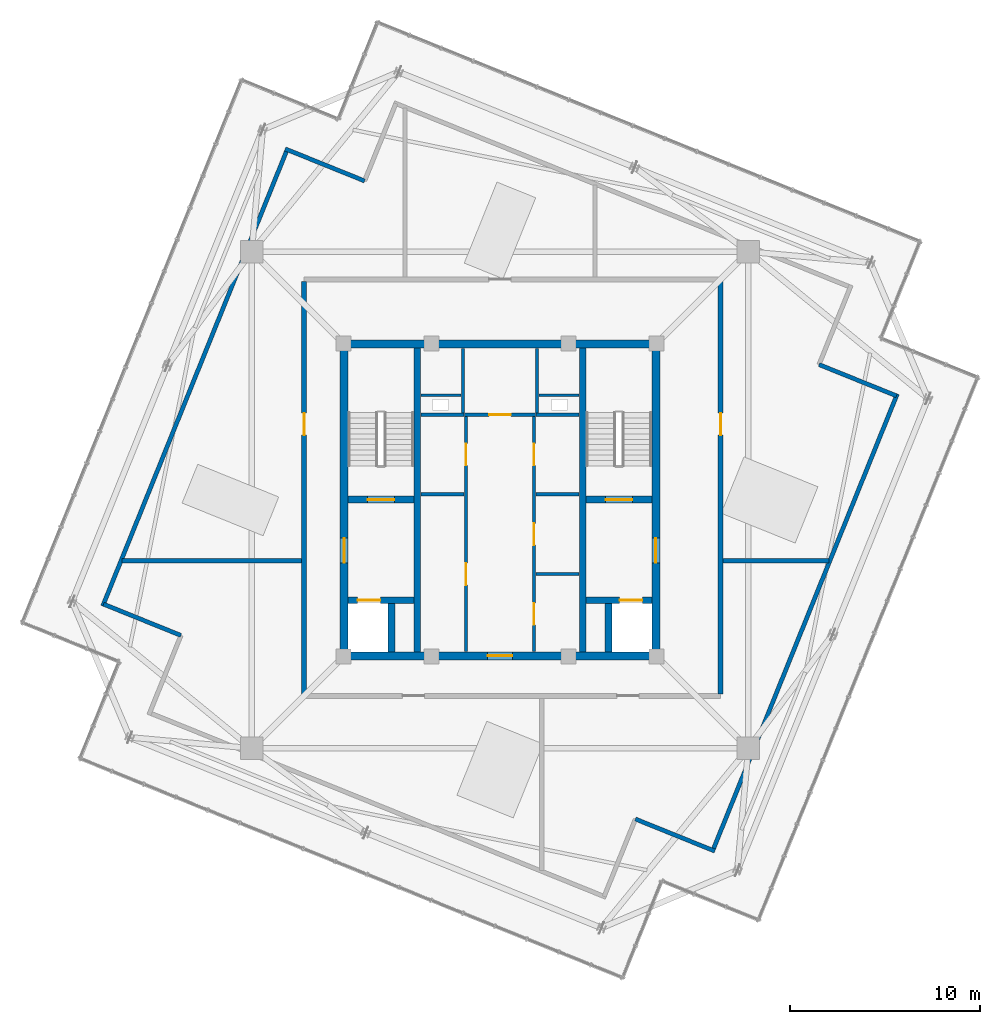
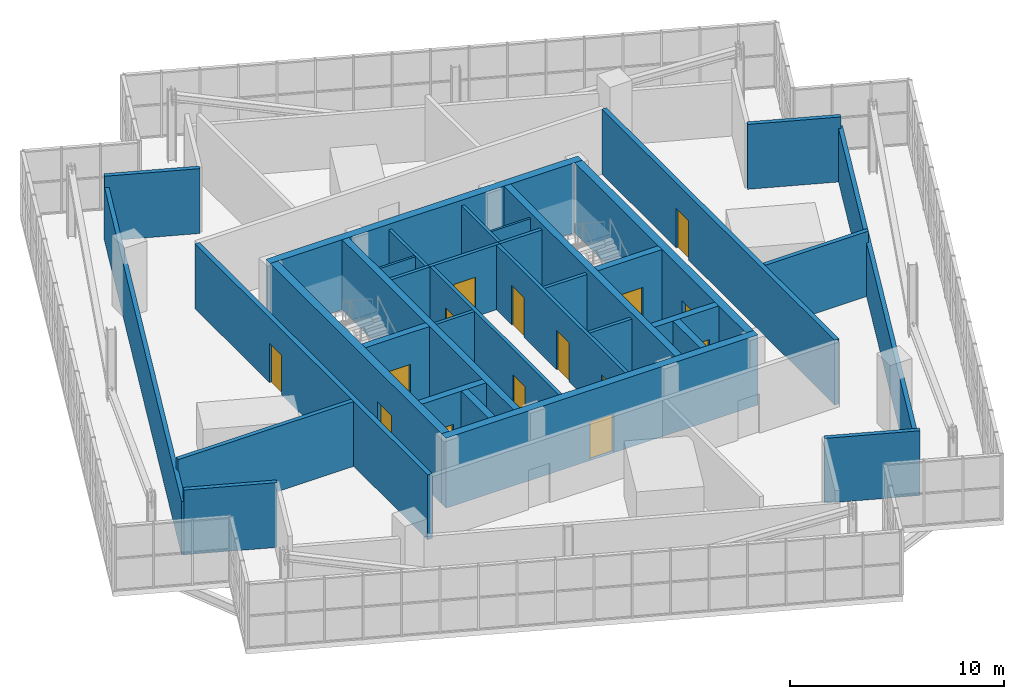
# One storey, part 23 of 26: 34 walls, 15 doors, 15 openings.
"""IFC4 building model written with IfcOpenShell, lengths in metres."""

from ifc_helpers import new_model, si_unit, direction, frame, frame_2d, origin, place, context, subcontext, project, spatial, rectangle, extrude, source, transform, mapped, material, layer, layer_set, type_object, element, fill, save


model = new_model("IFC4")

# Units and contexts
model_context = context("Model", 3, precision=1e-05, world=origin(), true_north=direction((0.0, 1.0)))
body_context = subcontext(model_context, "Body", "Model", "MODEL_VIEW")
ifc_project = project(units=[si_unit("LENGTHUNIT", "METRE"), si_unit("AREAUNIT", "SQUARE_METRE"), si_unit("VOLUMEUNIT", "CUBIC_METRE"), si_unit("PLANEANGLEUNIT", "RADIAN"), si_unit("MASSUNIT", "GRAM", prefix="KILO"), si_unit("THERMODYNAMICTEMPERATUREUNIT", "KELVIN")], contexts=[model_context])

# Site, building, storey
site_placement = place(None, origin())
site = spatial("IfcSite", under=ifc_project, at=site_placement, CompositionType="ELEMENT")
building_placement = place(site_placement, origin())
building = spatial("IfcBuilding", under=site, at=building_placement, Name="Kosmvard Interchange Tower", CompositionType="ELEMENT")
storey_placement = place(building_placement, frame((0.0, 0.0, 333.60009765625)))
storey = spatial("IfcBuildingStorey", under=building, at=storey_placement, Name="L82", CompositionType="ELEMENT", Elevation=333.60009765625)

# Walls
ifc_material_1 = material(Name="Fire-rated gypsum partition system")
ifc_layer_1 = layer(ifc_material_1, 0.159912109375, Name="Fire-rated gypsum partition system")
ifc_layer_set_1 = layer_set([ifc_layer_1], Name="Fire-rated gypsum partition system")
wall_type_1 = type_object("IfcWallType", Name="Core Compartment & Shuttle Lobby Partition 160", PredefinedType="PARTITIONING", material=ifc_layer_set_1)
for number, where, z_axis, x_axis, name in (
    (1, (-1.9599609375, 4.580078125, 0.0), (0.0, 0.0, 1.0), (0.0, 1.0, 0.0), "L82 North Core West Wall"),
    (2, (1.9599609375, 4.580078125, 0.0), (0.0, 0.0, 1.0), (0.0, 1.0, 0.0), "L82 North Core East Wall"),
):
    element("IfcWall", number, at=place(storey_placement, frame(where, z_axis=z_axis, x_axis=x_axis)), inside=storey, type_object=wall_type_1, Name=name, PredefinedType="PARTITIONING", context=body_context, shape_type="SweptSolid", body=[
        extrude(rectangle(XDim=3.39990234375, YDim=0.159912109375, at=frame_2d((1.699951171875, 0.0))), origin(), (0.0, 0.0, 1.0), 3.699951171875),
    ])

# Wall, openings, doors
ifc_layer_2 = layer(ifc_material_1, 0.179931640625, Name="Fire-rated gypsum partition system")
ifc_layer_set_2 = layer_set([ifc_layer_2], Name="Fire-rated gypsum partition system")
wall_type_2 = type_object("IfcWallType", Name="Corridor & Hotel Compartment Partition 180", PredefinedType="PARTITIONING", material=ifc_layer_set_2)
wall_1_placement = place(storey_placement, frame((-1.7900390625, -7.97998046875, 0.0), z_axis=(0.0, 0.0, 1.0), x_axis=(0.0, 1.0, 0.0)))
wall_1 = element("IfcWall", 3, at=wall_1_placement, inside=storey, type_object=wall_type_2, Name="L82 West Lift Bank Front Wall", PredefinedType="PARTITIONING", context=body_context, shape_type="SweptSolid", body=[
    extrude(rectangle(XDim=12.3798828125, YDim=0.179931640625, at=frame_2d((6.18994140625, 0.0))), origin(), (0.0, 0.0, 1.0), 3.699951171875),
])
opening_1_placement = place(wall_1_placement, frame((3.5, 0.0, 0.0)))
opening_1 = element("IfcOpeningElement", 4, at=opening_1_placement, cuts=wall_1, Name="Opening L82-CD1", PredefinedType="OPENING", context=body_context, shape_type="SweptSolid", body=[
    extrude(rectangle(XDim=1.14990234375, YDim=2.25, at=frame_2d((0.574951171875, 1.125))), frame((0.0, 0.10009765625, 0.0), z_axis=(0.0, -1.0, 0.0), x_axis=(1.0, 0.0, 0.0)), (0.0, 0.0, 1.0), 0.199951171875),
])
opening_2_placement = place(wall_1_placement, frame((9.800048828125, 0.0, 0.0)))
opening_2 = element("IfcOpeningElement", 5, at=opening_2_placement, cuts=wall_1, Name="Opening L82-CD7", PredefinedType="OPENING", context=body_context, shape_type="SweptSolid", body=[
    extrude(rectangle(XDim=1.14990234375, YDim=2.25, at=frame_2d((0.574951171875, 1.125))), frame((0.0, 0.10009765625, 0.0), z_axis=(0.0, -1.0, 0.0), x_axis=(1.0, 0.0, 0.0)), (0.0, 0.0, 1.0), 0.199951171875),
])
ifc_material_2 = material(Name="Painted fire-rated steel leaf", Category="steel")
door_type_1 = type_object("IfcDoorType", Name="Plant & Riser Fire Door 1150x2250 EI60", OperationType="NOTDEFINED", PredefinedType="DOOR", material=ifc_material_2)
shared_shape_1 = source(origin(), body_context, "Body", "SweptSolid", [
    extrude(rectangle(XDim=1.14990234375, YDim=2.25, at=frame_2d((0.574951171875, 1.125))), frame((0.0, 0.02490234375, 0.0), z_axis=(0.0, -1.0, 0.0), x_axis=(1.0, 0.0, 0.0)), (0.0, 0.0, 1.0), 0.050048828125),
])
door_1_placement = place(opening_1_placement, origin())
door_1 = element("IfcDoor", 6, at=door_1_placement, inside=storey, type_object=door_type_1, Name="L82 Core West Store Door", OperationType="SINGLE_SWING_LEFT", OverallHeight=2.25, OverallWidth=1.14990234375, PredefinedType="DOOR", context=body_context, shape_type="MappedRepresentation", body=[
    mapped(shared_shape_1, transform((0.0, 0.0, 0.0), scale=1.0)),
])
fill(opening_1, door_1)
door_2_placement = place(opening_2_placement, origin())
door_2 = element("IfcDoor", 7, at=door_2_placement, inside=storey, type_object=door_type_1, Name="L82 Crown Core West Door", OperationType="SINGLE_SWING_LEFT", OverallHeight=2.25, OverallWidth=1.14990234375, PredefinedType="DOOR", context=body_context, shape_type="MappedRepresentation", body=[
    mapped(shared_shape_1, transform((0.0, 0.0, 0.0), scale=1.0)),
])
fill(opening_2, door_2)

wall_2_placement = place(storey_placement, frame((1.7900390625, -7.97998046875, 0.0), z_axis=(0.0, 0.0, 1.0), x_axis=(0.0, 1.0, 0.0)))
wall_2 = element("IfcWall", 8, at=wall_2_placement, inside=storey, type_object=wall_type_2, Name="L82 East Lift Bank Front Wall", PredefinedType="PARTITIONING", context=body_context, shape_type="SweptSolid", body=[
    extrude(rectangle(XDim=12.3798828125, YDim=0.179931640625, at=frame_2d((6.18994140625, 0.0))), origin(), (0.0, 0.0, 1.0), 3.699951171875),
])
opening_3_placement = place(wall_2_placement, frame((1.39990234375, 0.0, 0.0)))
opening_3 = element("IfcOpeningElement", 9, at=opening_3_placement, cuts=wall_2, Name="Opening L82-CD2", PredefinedType="OPENING", context=body_context, shape_type="SweptSolid", body=[
    extrude(rectangle(XDim=1.14990234375, YDim=2.25, at=frame_2d((0.574951171875, 1.125))), frame((0.0, 0.10009765625, 0.0), z_axis=(0.0, -1.0, 0.0), x_axis=(1.0, 0.0, 0.0)), (0.0, 0.0, 1.0), 0.199951171875),
])
opening_4_placement = place(wall_2_placement, frame((5.60009765625, 0.0, 0.0)))
opening_4 = element("IfcOpeningElement", 10, at=opening_4_placement, cuts=wall_2, Name="Opening L82-CD3", PredefinedType="OPENING", context=body_context, shape_type="SweptSolid", body=[
    extrude(rectangle(XDim=1.14990234375, YDim=2.25, at=frame_2d((0.574951171875, 1.125))), frame((0.0, 0.10009765625, 0.0), z_axis=(0.0, -1.0, 0.0), x_axis=(1.0, 0.0, 0.0)), (0.0, 0.0, 1.0), 0.199951171875),
])
opening_5_placement = place(wall_2_placement, frame((9.800048828125, 0.0, 0.0)))
opening_5 = element("IfcOpeningElement", 11, at=opening_5_placement, cuts=wall_2, Name="Opening L82-CD8", PredefinedType="OPENING", context=body_context, shape_type="SweptSolid", body=[
    extrude(rectangle(XDim=1.14990234375, YDim=2.25, at=frame_2d((0.574951171875, 1.125))), frame((0.0, 0.10009765625, 0.0), z_axis=(0.0, -1.0, 0.0), x_axis=(1.0, 0.0, 0.0)), (0.0, 0.0, 1.0), 0.199951171875),
])
door_3_placement = place(opening_3_placement, frame((1.14990234375, 0.0, 0.0), z_axis=(0.0, 0.0, 1.0), x_axis=(-1.0, 0.0, 0.0)))
door_3 = element("IfcDoor", 12, at=door_3_placement, inside=storey, type_object=door_type_1, Name="L82 Core Tea Pantry Door", OperationType="SINGLE_SWING_LEFT", OverallHeight=2.25, OverallWidth=1.14990234375, PredefinedType="DOOR", context=body_context, shape_type="MappedRepresentation", body=[
    mapped(shared_shape_1, transform((0.0, 0.0, 0.0), scale=1.0)),
])
fill(opening_3, door_3)
door_4_placement = place(opening_4_placement, frame((1.14990234375, 0.0, 0.0), z_axis=(0.0, 0.0, 1.0), x_axis=(-1.0, 0.0, 0.0)))
door_4 = element("IfcDoor", 13, at=door_4_placement, inside=storey, type_object=door_type_1, Name="L82 Mid Core Pantry Door", OperationType="SINGLE_SWING_RIGHT", OverallHeight=2.25, OverallWidth=1.14990234375, PredefinedType="DOOR", context=body_context, shape_type="MappedRepresentation", body=[
    mapped(shared_shape_1, transform((0.0, 0.0, 0.0), scale=1.0)),
])
fill(opening_4, door_4)
door_5_placement = place(opening_5_placement, frame((1.14990234375, 0.0, 0.0), z_axis=(0.0, 0.0, 1.0), x_axis=(-1.0, 0.0, 0.0)))
door_5 = element("IfcDoor", 14, at=door_5_placement, inside=storey, type_object=door_type_1, Name="L82 Crown Core East Door", OperationType="SINGLE_SWING_RIGHT", OverallHeight=2.25, OverallWidth=1.14990234375, PredefinedType="DOOR", context=body_context, shape_type="MappedRepresentation", body=[
    mapped(shared_shape_1, transform((0.0, 0.0, 0.0), scale=1.0)),
])
fill(opening_5, door_5)

# Wall, opening, door
wall_3_placement = place(storey_placement, frame((-1.8798828125, 4.489990234375, 0.0), z_axis=(0.0, 0.0, 1.0), x_axis=(1.0, 0.0, 0.0)))
wall_3 = element("IfcWall", 15, at=wall_3_placement, inside=storey, type_object=wall_type_2, Name="L82 Lift Lobby North Partition", PredefinedType="PARTITIONING", context=body_context, shape_type="SweptSolid", body=[
    extrude(rectangle(XDim=3.759765625, YDim=0.179931640625, at=frame_2d((1.8798828125, 0.0))), origin(), (0.0, 0.0, 1.0), 3.699951171875),
])
opening_6_placement = place(wall_3_placement, frame((1.304931640625, 0.0, 0.0)))
opening_6 = element("IfcOpeningElement", 16, at=opening_6_placement, cuts=wall_3, Name="Opening L82-KD1", PredefinedType="OPENING", context=body_context, shape_type="SweptSolid", body=[
    extrude(rectangle(XDim=1.14990234375, YDim=2.25, at=frame_2d((0.574951171875, 1.125))), frame((0.0, 0.10009765625, 0.0), z_axis=(0.0, -1.0, 0.0), x_axis=(1.0, 0.0, 0.0)), (0.0, 0.0, 1.0), 0.199951171875),
])
door_6_placement = place(opening_6_placement, origin())
door_6 = element("IfcDoor", 17, at=door_6_placement, inside=storey, type_object=door_type_1, Name="L82 Core IT Room Door", OperationType="SINGLE_SWING_LEFT", OverallHeight=2.25, OverallWidth=1.14990234375, PredefinedType="DOOR", context=body_context, shape_type="MappedRepresentation", body=[
    mapped(shared_shape_1, transform((0.0, 0.0, 0.0), scale=1.0)),
])
fill(opening_6, door_6)

ifc_material_3 = material(Name="Concrete C50/60", Category="concrete")
ifc_layer_3 = layer(ifc_material_3, 0.419921875, Name="Concrete C50/60")
ifc_layer_set_3 = layer_set([ifc_layer_3], Name="Concrete C50/60")
wall_type_3 = type_object("IfcWallType", Name="Crown Core Shear Wall 420 C50/60", PredefinedType="SHEAR", material=ifc_layer_set_3)
wall_4_placement = place(storey_placement, frame((-8.419921875, -8.2099609375, 0.0), z_axis=(0.0, 0.0, 1.0), x_axis=(1.0, 0.0, 0.0)))
wall_4 = element("IfcWall", 18, at=wall_4_placement, inside=storey, type_object=wall_type_3, Name="L82 Core Shear Wall CW-S", PredefinedType="SHEAR", context=body_context, shape_type="SweptSolid", body=[
    extrude(rectangle(XDim=16.83984375, YDim=0.419921875, at=frame_2d((8.419921875, 0.0))), origin(), (0.0, 0.0, 1.0), 4.0),
])
opening_7_placement = place(wall_4_placement, frame((7.77001953125, 0.0, 0.0)))
opening_7 = element("IfcOpeningElement", 19, at=opening_7_placement, cuts=wall_4, Name="Opening L82-LD0", PredefinedType="OPENING", context=body_context, shape_type="SweptSolid", body=[
    extrude(rectangle(XDim=1.300048828125, YDim=2.199951171875, at=frame_2d((0.64990234375, 1.10009765625))), frame((0.0, 0.219970703125, 0.0), z_axis=(0.0, -1.0, 0.0), x_axis=(1.0, 0.0, 0.0)), (0.0, 0.0, 1.0), 0.43994140625),
])
door_type_2 = type_object("IfcDoorType", Name="Firefighting Lobby Door 1300x2200 EI60", OperationType="NOTDEFINED", PredefinedType="DOOR", material=ifc_material_2)
shared_shape_2 = source(origin(), body_context, "Body", "SweptSolid", [
    extrude(rectangle(XDim=1.300048828125, YDim=2.199951171875, at=frame_2d((0.64990234375, 1.10009765625))), frame((0.0, 0.02490234375, 0.0), z_axis=(0.0, -1.0, 0.0), x_axis=(1.0, 0.0, 0.0)), (0.0, 0.0, 1.0), 0.050048828125),
])
door_7_placement = place(opening_7_placement, frame((1.300048828125, 0.0, 0.0), z_axis=(0.0, 0.0, 1.0), x_axis=(-1.0, 0.0, 0.0)))
door_7 = element("IfcDoor", 20, at=door_7_placement, inside=storey, type_object=door_type_2, Name="L82 Passenger Lift Lobby South Door", OperationType="SINGLE_SWING_RIGHT", OverallHeight=2.199951171875, OverallWidth=1.300048828125, PredefinedType="DOOR", context=body_context, shape_type="MappedRepresentation", body=[
    mapped(shared_shape_2, transform((0.0, 0.0, 0.0), scale=1.0)),
])
fill(opening_7, door_7)

# Wall
wall_5_placement = place(storey_placement, frame((-8.419921875, 8.2099609375, 0.0), z_axis=(0.0, 0.0, 1.0), x_axis=(1.0, 0.0, 0.0)))
element("IfcWall", 21, at=wall_5_placement, inside=storey, type_object=wall_type_3, Name="L82 Core Shear Wall CW-N", PredefinedType="SHEAR", context=body_context, shape_type="SweptSolid", body=[
    extrude(rectangle(XDim=16.83984375, YDim=0.419921875, at=frame_2d((8.419921875, 0.0))), origin(), (0.0, 0.0, 1.0), 4.0),
])

# Wall, opening, door
wall_6_placement = place(storey_placement, frame((-8.2099609375, -8.0, 0.0), z_axis=(0.0, 0.0, 1.0), x_axis=(0.0, 1.0, 0.0)))
wall_6 = element("IfcWall", 22, at=wall_6_placement, inside=storey, type_object=wall_type_3, Name="L82 Core Shear Wall CW-W", PredefinedType="SHEAR", context=body_context, shape_type="SweptSolid", body=[
    extrude(rectangle(XDim=16.0, YDim=0.419921875, at=frame_2d((8.0, 0.0))), origin(), (0.0, 0.0, 1.0), 4.0),
])
opening_8_placement = place(wall_6_placement, frame((4.68994140625, 0.0, 0.0)))
opening_8 = element("IfcOpeningElement", 23, at=opening_8_placement, cuts=wall_6, Name="Opening L82-FD1", PredefinedType="OPENING", context=body_context, shape_type="SweptSolid", body=[
    extrude(rectangle(XDim=1.300048828125, YDim=2.199951171875, at=frame_2d((0.64990234375, 1.10009765625))), frame((0.0, 0.219970703125, 0.0), z_axis=(0.0, -1.0, 0.0), x_axis=(1.0, 0.0, 0.0)), (0.0, 0.0, 1.0), 0.43994140625),
])
door_8_placement = place(opening_8_placement, frame((1.300048828125, 0.0, 0.0), z_axis=(0.0, 0.0, 1.0), x_axis=(-1.0, 0.0, 0.0)))
door_8 = element("IfcDoor", 24, at=door_8_placement, inside=storey, type_object=door_type_2, Name="L82 Firefighting Lobby West Door", OperationType="SINGLE_SWING_LEFT", OverallHeight=2.199951171875, OverallWidth=1.300048828125, PredefinedType="DOOR", context=body_context, shape_type="MappedRepresentation", body=[
    mapped(shared_shape_2, transform((0.0, 0.0, 0.0), scale=1.0)),
])
fill(opening_8, door_8)

wall_7_placement = place(storey_placement, frame((8.2099609375, -8.0, 0.0), z_axis=(0.0, 0.0, 1.0), x_axis=(0.0, 1.0, 0.0)))
wall_7 = element("IfcWall", 25, at=wall_7_placement, inside=storey, type_object=wall_type_3, Name="L82 Core Shear Wall CW-E", PredefinedType="SHEAR", context=body_context, shape_type="SweptSolid", body=[
    extrude(rectangle(XDim=16.0, YDim=0.419921875, at=frame_2d((8.0, 0.0))), origin(), (0.0, 0.0, 1.0), 4.0),
])
opening_9_placement = place(wall_7_placement, frame((4.68994140625, 0.0, 0.0)))
opening_9 = element("IfcOpeningElement", 26, at=opening_9_placement, cuts=wall_7, Name="Opening L82-FD2", PredefinedType="OPENING", context=body_context, shape_type="SweptSolid", body=[
    extrude(rectangle(XDim=1.300048828125, YDim=2.199951171875, at=frame_2d((0.64990234375, 1.10009765625))), frame((0.0, 0.219970703125, 0.0), z_axis=(0.0, -1.0, 0.0), x_axis=(1.0, 0.0, 0.0)), (0.0, 0.0, 1.0), 0.43994140625),
])
door_9_placement = place(opening_9_placement, origin())
door_9 = element("IfcDoor", 27, at=door_9_placement, inside=storey, type_object=door_type_2, Name="L82 Firefighting Lobby East Door", OperationType="SINGLE_SWING_RIGHT", OverallHeight=2.199951171875, OverallWidth=1.300048828125, PredefinedType="DOOR", context=body_context, shape_type="MappedRepresentation", body=[
    mapped(shared_shape_2, transform((0.0, 0.0, 0.0), scale=1.0)),
])
fill(opening_9, door_9)

ifc_material_4 = material(Name="Concrete blockwork masonry", Category="masonry")
ifc_layer_4 = layer(ifc_material_4, 0.25, Name="Concrete blockwork masonry")
ifc_layer_set_4 = layer_set([ifc_layer_4], Name="Concrete blockwork masonry")
wall_type_4 = type_object("IfcWallType", Name="Exit Passage & Firefighting Lobby Wall 250", PredefinedType="PARTITIONING", material=ifc_layer_set_4)
wall_8_placement = place(storey_placement, frame((-10.320068359375, -10.219970703125, 0.0), z_axis=(0.0, 0.0, 1.0), x_axis=(0.0, 1.0, 0.0)))
wall_8 = element("IfcWall", 28, at=wall_8_placement, inside=storey, type_object=wall_type_4, Name="L82 Corridor Wall CW", PredefinedType="PARTITIONING", context=body_context, shape_type="SweptSolid", body=[
    extrude(rectangle(XDim=21.739990234375, YDim=0.25, at=frame_2d((10.8701171875, 0.0))), origin(), (0.0, 0.0, 1.0), 3.699951171875),
])
opening_10_placement = place(wall_8_placement, frame((13.640625, 0.0, 0.0)))
opening_10 = element("IfcOpeningElement", 29, at=opening_10_placement, cuts=wall_8, Name="Opening L82-D05", PredefinedType="OPENING", context=body_context, shape_type="SweptSolid", body=[
    extrude(rectangle(XDim=1.14990234375, YDim=2.25, at=frame_2d((0.574951171875, 1.125))), frame((0.0, 0.135009765625, 0.0), z_axis=(0.0, -1.0, 0.0), x_axis=(1.0, 0.0, 0.0)), (0.0, 0.0, 1.0), 0.27001953125),
])
door_10_placement = place(opening_10_placement, origin())
door_10 = element("IfcDoor", 30, at=door_10_placement, inside=storey, type_object=door_type_1, Name="L82 Heat Recovery Ventilation Plant Room Door", OperationType="SINGLE_SWING_LEFT", OverallHeight=2.25, OverallWidth=1.14990234375, PredefinedType="DOOR", context=body_context, shape_type="MappedRepresentation", body=[
    mapped(shared_shape_1, transform((0.0, 0.0, 0.0), scale=1.0)),
])
fill(opening_10, door_10)

wall_9_placement = place(storey_placement, frame((11.6201171875, -10.219970703125, 0.0), z_axis=(0.0, 0.0, 1.0), x_axis=(0.0, 1.0, 0.0)))
wall_9 = element("IfcWall", 31, at=wall_9_placement, inside=storey, type_object=wall_type_4, Name="L82 Corridor Wall CE", PredefinedType="PARTITIONING", context=body_context, shape_type="SweptSolid", body=[
    extrude(rectangle(XDim=21.739990234375, YDim=0.25, at=frame_2d((10.8701171875, 0.0))), origin(), (0.0, 0.0, 1.0), 3.699951171875),
])
opening_11_placement = place(wall_9_placement, frame((13.640625, 0.0, 0.0)))
opening_11 = element("IfcOpeningElement", 32, at=opening_11_placement, cuts=wall_9, Name="Opening L82-D02", PredefinedType="OPENING", context=body_context, shape_type="SweptSolid", body=[
    extrude(rectangle(XDim=1.14990234375, YDim=2.25, at=frame_2d((0.574951171875, 1.125))), frame((0.0, 0.135009765625, 0.0), z_axis=(0.0, -1.0, 0.0), x_axis=(1.0, 0.0, 0.0)), (0.0, 0.0, 1.0), 0.27001953125),
])
door_11_placement = place(opening_11_placement, frame((1.14990234375, 0.0, 0.0), z_axis=(0.0, 0.0, 1.0), x_axis=(-1.0, 0.0, 0.0)))
door_11 = element("IfcDoor", 33, at=door_11_placement, inside=storey, type_object=door_type_1, Name="L82 East Cooling Tower Plant Room Door", OperationType="SINGLE_SWING_RIGHT", OverallHeight=2.25, OverallWidth=1.14990234375, PredefinedType="DOOR", context=body_context, shape_type="MappedRepresentation", body=[
    mapped(shared_shape_1, transform((0.0, 0.0, 0.0), scale=1.0)),
])
fill(opening_11, door_11)

# Walls
ifc_layer_5 = layer(ifc_material_4, 0.179931640625, Name="Concrete blockwork masonry")
ifc_layer_set_5 = layer_set([ifc_layer_5], Name="Concrete blockwork masonry")
wall_type_5 = type_object("IfcWallType", Name="Riser & Lift Bank Divider Wall 180", PredefinedType="PARTITIONING", material=ifc_layer_set_5)
for number, where, z_axis, x_axis, name in (
    (34, (1.889892578125, -3.89990234375, 0.0), (0.0, 0.0, 1.0), (1.0, 0.0, 0.0), "L82 East Bank Divider BD1"),
    (35, (-4.169921875, 0.300048828125, 0.0), (0.0, 0.0, 1.0), (1.0, 0.0, 0.0), "L82 West Bank Divider BD2"),
    (36, (1.889892578125, 0.300048828125, 0.0), (0.0, 0.0, 1.0), (1.0, 0.0, 0.0), "L82 East Bank Divider BD2"),
    (37, (-4.169921875, 4.489990234375, 0.0), (0.0, 0.0, 1.0), (1.0, 0.0, 0.0), "L82 West Bank Divider BD3"),
    (38, (1.889892578125, 4.489990234375, 0.0), (0.0, 0.0, 1.0), (1.0, 0.0, 0.0), "L82 East Bank Divider BD3"),
):
    element("IfcWall", number, at=place(storey_placement, frame(where, z_axis=z_axis, x_axis=x_axis)), inside=storey, type_object=wall_type_5, Name=name, PredefinedType="PARTITIONING", context=body_context, shape_type="SweptSolid", body=[
        extrude(rectangle(XDim=2.280029296875, YDim=0.179931640625, at=frame_2d((1.14013671875, 0.0))), origin(), (0.0, 0.0, 1.0), 3.699951171875),
    ])
ifc_layer_6 = layer(ifc_material_4, 0.219970703125, Name="Concrete blockwork masonry")
ifc_layer_set_6 = layer_set([ifc_layer_6], Name="Concrete blockwork masonry")
wall_type_6 = type_object("IfcWallType", Name="Riser & Plant Enclosure Wall 220", PredefinedType="PARTITIONING", material=ifc_layer_set_6)
wall_10_placement = place(storey_placement, frame((11.172119140625, -18.556396484375, 0.0), z_axis=(0.0, 0.0, 1.0), x_axis=(0.374611707018, 0.927181788521, 0.0)))
element("IfcWall", 39, at=wall_10_placement, inside=storey, type_object=wall_type_6, Name="L82 Crown Plant Enclosure Wall S", PredefinedType="PARTITIONING", context=body_context, shape_type="SweptSolid", body=[
    extrude(rectangle(XDim=26.0400390625, YDim=0.219970703125, at=frame_2d((13.02001953125, 0.0))), origin(), (0.0, 0.0, 1.0), 3.0498046875),
])
wall_11_placement = place(storey_placement, frame((20.8857421875, 5.485595703125, 0.0), z_axis=(0.0, 0.0, 1.0), x_axis=(-0.927189216671, 0.374593321469, 0.0)))
element("IfcWall", 40, at=wall_11_placement, inside=storey, type_object=wall_type_6, Name="L82 Crown Plant Enclosure Wall SE1", PredefinedType="PARTITIONING", context=body_context, shape_type="SweptSolid", body=[
    extrude(rectangle(XDim=4.39990234375, YDim=0.219970703125, at=frame_2d((2.199951171875, 0.0))), origin(), (0.0, 0.0, 1.0), 3.699951171875),
])
wall_12_placement = place(storey_placement, frame((-7.1337890625, 16.80615234375, 0.0), z_axis=(0.0, 0.0, 1.0), x_axis=(-0.927186885331, 0.374599091925, 0.0)))
element("IfcWall", 41, at=wall_12_placement, inside=storey, type_object=wall_type_6, Name="L82 Crown Plant Enclosure Wall NE2", PredefinedType="PARTITIONING", context=body_context, shape_type="SweptSolid", body=[
    extrude(rectangle(XDim=4.510009765625, YDim=0.219970703125, at=frame_2d((2.2548828125, 0.0))), origin(), (0.0, 0.0, 1.0), 3.699951171875),
])
wall_13_placement = place(storey_placement, frame((-11.172119140625, 18.556396484375, 0.0), z_axis=(0.0, 0.0, 1.0), x_axis=(-0.374611707018, -0.927181788521, 0.0)))
element("IfcWall", 42, at=wall_13_placement, inside=storey, type_object=wall_type_6, Name="L82 Crown Plant Enclosure Wall N", PredefinedType="PARTITIONING", context=body_context, shape_type="SweptSolid", body=[
    extrude(rectangle(XDim=26.0400390625, YDim=0.219970703125, at=frame_2d((13.02001953125, 0.0))), origin(), (0.0, 0.0, 1.0), 3.0498046875),
])
wall_14_placement = place(storey_placement, frame((-20.8857421875, -5.485595703125, 0.0), z_axis=(0.0, 0.0, 1.0), x_axis=(0.927189216671, -0.374593321469, 0.0)))
element("IfcWall", 43, at=wall_14_placement, inside=storey, type_object=wall_type_6, Name="L82 Crown Plant Enclosure Wall NW1", PredefinedType="PARTITIONING", context=body_context, shape_type="SweptSolid", body=[
    extrude(rectangle(XDim=4.39990234375, YDim=0.219970703125, at=frame_2d((2.199951171875, 0.0))), origin(), (0.0, 0.0, 1.0), 3.699951171875),
])
wall_15_placement = place(storey_placement, frame((7.1337890625, -16.80615234375, 0.0), z_axis=(0.0, 0.0, 1.0), x_axis=(0.927186885331, -0.374599091925, 0.0)))
element("IfcWall", 44, at=wall_15_placement, inside=storey, type_object=wall_type_6, Name="L82 Crown Plant Enclosure Wall SW2", PredefinedType="PARTITIONING", context=body_context, shape_type="SweptSolid", body=[
    extrude(rectangle(XDim=4.510009765625, YDim=0.219970703125, at=frame_2d((2.2548828125, 0.0))), origin(), (0.0, 0.0, 1.0), 3.699951171875),
])
wall_16_placement = place(storey_placement, frame((11.75, -3.199951171875, 0.0), z_axis=(0.0, 0.0, 1.0), x_axis=(1.0, 0.0, 0.0)))
element("IfcWall", 45, at=wall_16_placement, inside=storey, type_object=wall_type_6, Name="L82 Room Partition 03.1", PredefinedType="PARTITIONING", context=body_context, shape_type="SweptSolid", body=[
    extrude(rectangle(XDim=5.578125, YDim=0.219970703125, at=frame_2d((2.7890625, 0.0))), origin(), (0.0, 0.0, 1.0), 3.699951171875),
])
wall_17_placement = place(storey_placement, frame((-10.449951171875, -3.199951171875, 0.0), z_axis=(0.0, 0.0, 1.0), x_axis=(-1.0, 0.0, 0.0)))
element("IfcWall", 46, at=wall_17_placement, inside=storey, type_object=wall_type_6, Name="L82 Room Partition 05.1", PredefinedType="PARTITIONING", context=body_context, shape_type="SweptSolid", body=[
    extrude(rectangle(XDim=9.4638671875, YDim=0.219970703125, at=frame_2d((4.73193359375, 0.0))), origin(), (0.0, 0.0, 1.0), 3.699951171875),
])
ifc_material_5 = material(Name="Fire-rated gypsum shaftwall system")
ifc_layer_7 = layer(ifc_material_5, 0.1201171875, Name="Fire-rated gypsum shaftwall system")
ifc_layer_set_7 = layer_set([ifc_layer_7], Name="Fire-rated gypsum shaftwall system")
wall_type_7 = type_object("IfcWallType", Name="Shaft & Riser Fire Partition 120 EI60", PredefinedType="PARTITIONING", material=ifc_layer_set_7)
for number, where, z_axis, x_axis, name in (
    (47, (-4.159912109375, 5.52001953125, 0.0), (0.0, 0.0, 1.0), (1.0, 0.0, 0.0), "L82 Riser Shaft Divider W"),
    (48, (2.06005859375, 5.52001953125, 0.0), (0.0, 0.0, 1.0), (1.0, 0.0, 0.0), "L82 Riser Shaft Divider E"),
):
    element("IfcWall", number, at=place(storey_placement, frame(where, z_axis=z_axis, x_axis=x_axis)), inside=storey, type_object=wall_type_7, Name=name, PredefinedType="PARTITIONING", context=body_context, shape_type="SweptSolid", body=[
        extrude(rectangle(XDim=2.099853515625, YDim=0.1201171875, at=frame_2d((1.0498046875, 0.0))), origin(), (0.0, 0.0, 1.0), 3.699951171875),
    ])
ifc_material_6 = material(Name="Concrete C60/75", Category="concrete")
ifc_layer_8 = layer(ifc_material_6, 0.360107421875, Name="Concrete C60/75")
ifc_layer_set_8 = layer_set([ifc_layer_8], Name="Concrete C60/75")
wall_type_8 = type_object("IfcWallType", Name="Stair & Lift Shaft Shear Wall 360 C60/75", PredefinedType="SHEAR", material=ifc_layer_set_8)
for number, where, z_axis, x_axis, name in (
    (49, (-4.360107421875, -8.0, 0.0), (0.0, 0.0, 1.0), (0.0, 1.0, 0.0), "L82 Shaft Shear Wall SW-W"),
    (50, (4.360107421875, -8.0, 0.0), (0.0, 0.0, 1.0), (0.0, 1.0, 0.0), "L82 Shaft Shear Wall SW-E"),
):
    element("IfcWall", number, at=place(storey_placement, frame(where, z_axis=z_axis, x_axis=x_axis)), inside=storey, type_object=wall_type_8, Name=name, PredefinedType="SHEAR", context=body_context, shape_type="SweptSolid", body=[
        extrude(rectangle(XDim=16.0, YDim=0.360107421875, at=frame_2d((8.0, 0.0))), origin(), (0.0, 0.0, 1.0), 4.0),
    ])

# Wall, opening, door
wall_18_placement = place(storey_placement, frame((-8.0, 0.02001953125, 0.0), z_axis=(0.0, 0.0, 1.0), x_axis=(1.0, 0.0, 0.0)))
wall_18 = element("IfcWall", 51, at=wall_18_placement, inside=storey, type_object=wall_type_8, Name="L82 Shaft Shear Wall SW-ST1", PredefinedType="SHEAR", context=body_context, shape_type="SweptSolid", body=[
    extrude(rectangle(XDim=3.4599609375, YDim=0.360107421875, at=frame_2d((1.72998046875, 0.0))), origin(), (0.0, 0.0, 1.0), 4.0),
])
opening_12_placement = place(wall_18_placement, frame((1.030029296875, 0.0, 0.0)))
opening_12 = element("IfcOpeningElement", 52, at=opening_12_placement, cuts=wall_18, Name="Opening L82-SD1", PredefinedType="OPENING", context=body_context, shape_type="SweptSolid", body=[
    extrude(rectangle(XDim=1.39990234375, YDim=2.199951171875, at=frame_2d((0.699951171875, 1.10009765625))), frame((0.0, 0.18994140625, 0.0), z_axis=(0.0, -1.0, 0.0), x_axis=(1.0, 0.0, 0.0)), (0.0, 0.0, 1.0), 0.380126953125),
])
door_type_3 = type_object("IfcDoorType", Name="Protected Stair Door 1400x2200 FD60S", OperationType="NOTDEFINED", PredefinedType="DOOR", material=ifc_material_2)
shared_shape_3 = source(origin(), body_context, "Body", "SweptSolid", [
    extrude(rectangle(XDim=1.39990234375, YDim=2.199951171875, at=frame_2d((0.699951171875, 1.10009765625))), frame((0.0, 0.02490234375, 0.0), z_axis=(0.0, -1.0, 0.0), x_axis=(1.0, 0.0, 0.0)), (0.0, 0.0, 1.0), 0.050048828125),
])
door_12_placement = place(opening_12_placement, origin())
door_12 = element("IfcDoor", 53, at=door_12_placement, inside=storey, type_object=door_type_3, Name="L82 Stair ST-1 Enclosure Door", OperationType="SINGLE_SWING_LEFT", OverallHeight=2.199951171875, OverallWidth=1.39990234375, PredefinedType="DOOR", context=body_context, shape_type="MappedRepresentation", body=[
    mapped(shared_shape_3, transform((0.0, 0.0, 0.0), scale=1.0)),
])
fill(opening_12, door_12)

wall_19_placement = place(storey_placement, frame((4.5400390625, 0.02001953125, 0.0), z_axis=(0.0, 0.0, 1.0), x_axis=(1.0, 0.0, 0.0)))
wall_19 = element("IfcWall", 54, at=wall_19_placement, inside=storey, type_object=wall_type_8, Name="L82 Shaft Shear Wall SW-ST2", PredefinedType="SHEAR", context=body_context, shape_type="SweptSolid", body=[
    extrude(rectangle(XDim=3.4599609375, YDim=0.360107421875, at=frame_2d((1.72998046875, 0.0))), origin(), (0.0, 0.0, 1.0), 4.0),
])
opening_13_placement = place(wall_19_placement, frame((1.030029296875, 0.0, 0.0)))
opening_13 = element("IfcOpeningElement", 55, at=opening_13_placement, cuts=wall_19, Name="Opening L82-SD2", PredefinedType="OPENING", context=body_context, shape_type="SweptSolid", body=[
    extrude(rectangle(XDim=1.39990234375, YDim=2.199951171875, at=frame_2d((0.699951171875, 1.10009765625))), frame((0.0, 0.18994140625, 0.0), z_axis=(0.0, -1.0, 0.0), x_axis=(1.0, 0.0, 0.0)), (0.0, 0.0, 1.0), 0.380126953125),
])
door_13_placement = place(opening_13_placement, origin())
door_13 = element("IfcDoor", 56, at=door_13_placement, inside=storey, type_object=door_type_3, Name="L82 Stair ST-2 Enclosure Door", OperationType="SINGLE_SWING_RIGHT", OverallHeight=2.199951171875, OverallWidth=1.39990234375, PredefinedType="DOOR", context=body_context, shape_type="MappedRepresentation", body=[
    mapped(shared_shape_3, transform((0.0, 0.0, 0.0), scale=1.0)),
])
fill(opening_13, door_13)

wall_20_placement = place(storey_placement, frame((-8.0, -5.280029296875, 0.0), z_axis=(0.0, 0.0, 1.0), x_axis=(1.0, 0.0, 0.0)))
wall_20 = element("IfcWall", 57, at=wall_20_placement, inside=storey, type_object=wall_type_8, Name="L82 Shaft Shear Wall SW-FF1", PredefinedType="SHEAR", context=body_context, shape_type="SweptSolid", body=[
    extrude(rectangle(XDim=3.4599609375, YDim=0.360107421875, at=frame_2d((1.72998046875, 0.0))), origin(), (0.0, 0.0, 1.0), 4.0),
])
opening_14_placement = place(wall_20_placement, frame((0.5, 0.0, 0.0)))
opening_14 = element("IfcOpeningElement", 58, at=opening_14_placement, cuts=wall_20, Name="Opening LD-FF-1-L82", PredefinedType="OPENING", context=body_context, shape_type="SweptSolid", body=[
    extrude(rectangle(XDim=1.199951171875, YDim=2.25, at=frame_2d((0.60009765625, 1.125))), frame((0.0, 0.18994140625, 0.0), z_axis=(0.0, -1.0, 0.0), x_axis=(1.0, 0.0, 0.0)), (0.0, 0.0, 1.0), 0.380126953125),
])
ifc_material_7 = material(Name="Brushed stainless steel sliding leaf", Category="steel")
door_type_4 = type_object("IfcDoorType", Name="Firefighting Lift Sliding Landing Door 1200x2250 EI120", OperationType="DOUBLE_DOOR_SLIDING", PredefinedType="DOOR", material=ifc_material_7)
shared_shape_4 = source(origin(), body_context, "Body", "SweptSolid", [
    extrude(rectangle(XDim=1.199951171875, YDim=2.25, at=frame_2d((0.60009765625, 1.125))), frame((0.0, 0.02490234375, 0.0), z_axis=(0.0, -1.0, 0.0), x_axis=(1.0, 0.0, 0.0)), (0.0, 0.0, 1.0), 0.050048828125),
])
door_14_placement = place(opening_14_placement, origin())
door_14 = element("IfcDoor", 59, at=door_14_placement, inside=storey, type_object=door_type_4, Name="Lift FF-1 Landing Door L82", OperationType="DOUBLE_DOOR_SLIDING", OverallHeight=2.25, OverallWidth=1.199951171875, PredefinedType="DOOR", context=body_context, shape_type="MappedRepresentation", body=[
    mapped(shared_shape_4, transform((0.0, 0.0, 0.0), scale=1.0)),
])
fill(opening_14, door_14)

wall_21_placement = place(storey_placement, frame((4.5400390625, -5.280029296875, 0.0), z_axis=(0.0, 0.0, 1.0), x_axis=(1.0, 0.0, 0.0)))
wall_21 = element("IfcWall", 60, at=wall_21_placement, inside=storey, type_object=wall_type_8, Name="L82 Shaft Shear Wall SW-FF2", PredefinedType="SHEAR", context=body_context, shape_type="SweptSolid", body=[
    extrude(rectangle(XDim=3.4599609375, YDim=0.360107421875, at=frame_2d((1.72998046875, 0.0))), origin(), (0.0, 0.0, 1.0), 4.0),
])
opening_15_placement = place(wall_21_placement, frame((1.760009765625, 0.0, 0.0)))
opening_15 = element("IfcOpeningElement", 61, at=opening_15_placement, cuts=wall_21, Name="Opening LD-FF-2-L82", PredefinedType="OPENING", context=body_context, shape_type="SweptSolid", body=[
    extrude(rectangle(XDim=1.199951171875, YDim=2.25, at=frame_2d((0.60009765625, 1.125))), frame((0.0, 0.18994140625, 0.0), z_axis=(0.0, -1.0, 0.0), x_axis=(1.0, 0.0, 0.0)), (0.0, 0.0, 1.0), 0.380126953125),
])
door_15_placement = place(opening_15_placement, origin())
door_15 = element("IfcDoor", 62, at=door_15_placement, inside=storey, type_object=door_type_4, Name="Lift FF-2 Landing Door L82", OperationType="DOUBLE_DOOR_SLIDING", OverallHeight=2.25, OverallWidth=1.199951171875, PredefinedType="DOOR", context=body_context, shape_type="MappedRepresentation", body=[
    mapped(shared_shape_4, transform((0.0, 0.0, 0.0), scale=1.0)),
])
fill(opening_15, door_15)

# Walls
for number, where, z_axis, x_axis, name in (
    (63, (-5.7099609375, -8.0, 0.0), (0.0, 0.0, 1.0), (0.0, 1.0, 0.0), "L82 Shaft Shear Wall SW-SM1"),
    (64, (5.7099609375, -8.0, 0.0), (0.0, 0.0, 1.0), (0.0, 1.0, 0.0), "L82 Shaft Shear Wall SW-SM2"),
):
    element("IfcWall", number, at=place(storey_placement, frame(where, z_axis=z_axis, x_axis=x_axis)), inside=storey, type_object=wall_type_8, Name=name, PredefinedType="SHEAR", context=body_context, shape_type="SweptSolid", body=[
        extrude(rectangle(XDim=2.5400390625, YDim=0.360107421875, at=frame_2d((1.27001953125, 0.0))), origin(), (0.0, 0.0, 1.0), 4.0),
    ])

save(model, "model.ifc")
